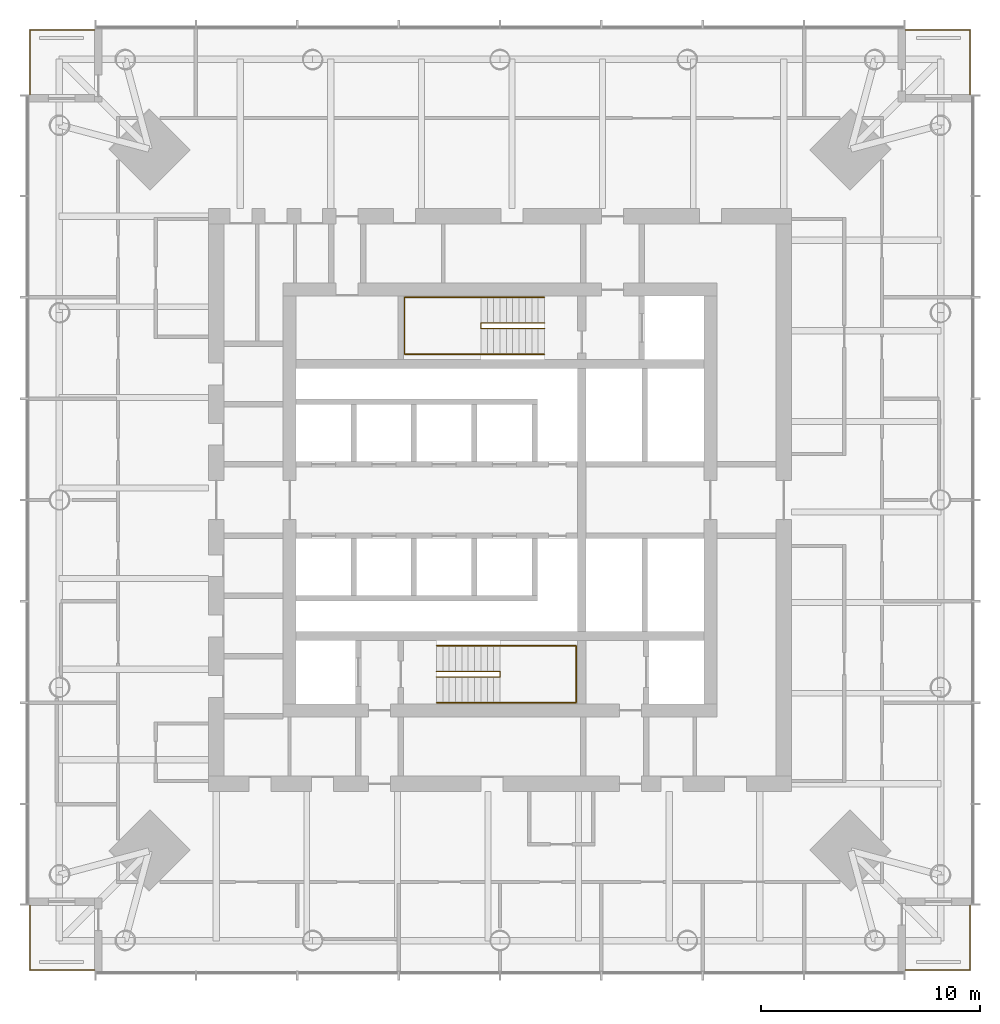
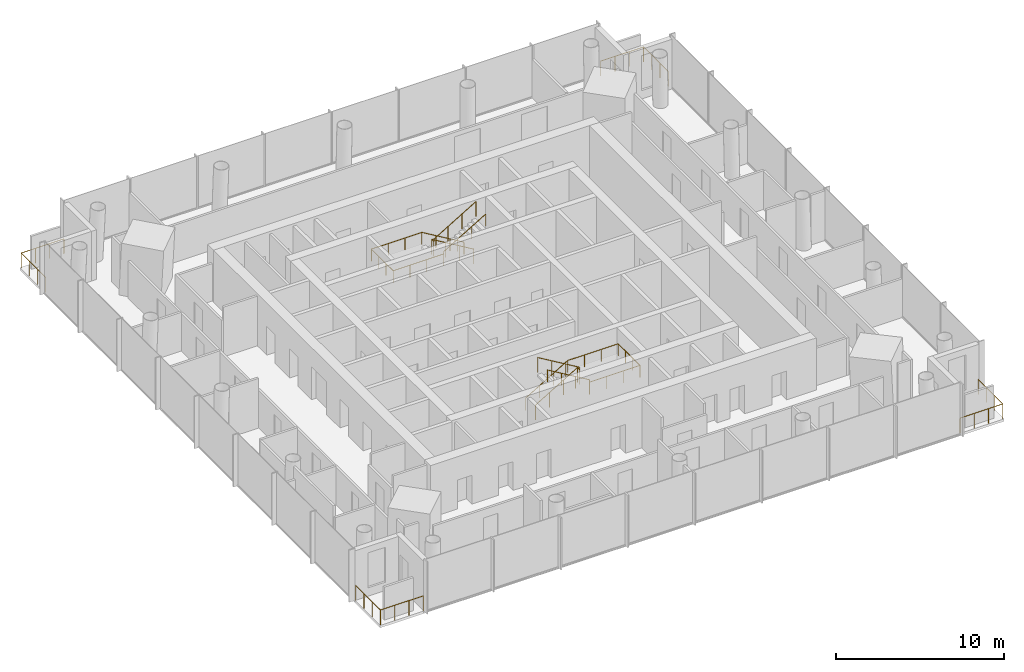
# One storey, part 9 of 9: 8 railings.
"""IFC4 building model written with IfcOpenShell, lengths in metres."""

from ifc_helpers import new_model, si_unit, direction, frame, origin, origin_2d, place, context, subcontext, project, spatial, circle, extrude, material, type_object, element, save


model = new_model("IFC4")

# Units and contexts
model_context = context("Model", 3, precision=1e-05, world=origin(), true_north=direction((0.0, 1.0)))
body_context = subcontext(model_context, "Body", "Model", "MODEL_VIEW")
ifc_project = project(units=[si_unit("LENGTHUNIT", "METRE"), si_unit("AREAUNIT", "SQUARE_METRE"), si_unit("VOLUMEUNIT", "CUBIC_METRE"), si_unit("PLANEANGLEUNIT", "RADIAN"), si_unit("MASSUNIT", "GRAM", prefix="KILO")], contexts=[model_context])

# Site, building, storey
site_placement = place(None, origin())
site = spatial("IfcSite", under=ifc_project, at=site_placement, CompositionType="ELEMENT")
building_placement = place(site_placement, origin())
building = spatial("IfcBuilding", under=site, at=building_placement, Name="Ostroluk Exchange", CompositionType="ELEMENT")
storey_placement = place(building_placement, frame((0.0, 0.0, 142.60009765625)))
storey = spatial("IfcBuildingStorey", under=building, at=storey_placement, Name="L36", CompositionType="ELEMENT", Elevation=142.60009765625)

# Railings
ifc_material_1 = material(Name="Stainless steel", Category="steel")
railing_type_1 = type_object("IfcRailingType", Name="Guard 1100 stainless steel", PredefinedType="GUARDRAIL", material=ifc_material_1)
railing_1_placement = place(storey_placement, frame((63.5, 24.550048828125, 0.0)))
element("IfcRailing", 1, at=railing_1_placement, inside=storey, type_object=railing_type_1, Name="Office tower SE balcony guard L36", PredefinedType="GUARDRAIL", context=body_context, shape_type="SweptSolid", body=[
    extrude(circle(Radius=0.02392578125, at=origin_2d()), frame((0.0, 0.0, 1.076171875), z_axis=(1.0, 0.0, 0.0), x_axis=(0.0, 1.0, 0.0)), (0.0, 0.0, 1.0), 2.949951171875),
    extrude(circle(Radius=0.02392578125, at=origin_2d()), frame((2.949951171875, 0.0, 1.076171875), z_axis=(0.0, 1.0, 0.0), x_axis=(-1.0, 0.0, 0.0)), (0.0, 0.0, 1.0), 2.949951171875),
    extrude(circle(Radius=0.02099609375, at=origin_2d()), origin(), (0.0, 0.0, 1.0), 1.052001953125),
    extrude(circle(Radius=0.02099609375, at=origin_2d()), frame((0.9833984375, 0.0, 0.0)), (0.0, 0.0, 1.0), 1.052001953125),
    extrude(circle(Radius=0.02099609375, at=origin_2d()), frame((1.966552734375, 0.0, 0.0)), (0.0, 0.0, 1.0), 1.052001953125),
    extrude(circle(Radius=0.02099609375, at=origin_2d()), frame((2.949951171875, 0.0, 0.0)), (0.0, 0.0, 1.0), 1.052001953125),
    extrude(circle(Radius=0.02099609375, at=origin_2d()), frame((2.949951171875, 0.9833984375, 0.0)), (0.0, 0.0, 1.0), 1.052001953125),
    extrude(circle(Radius=0.02099609375, at=origin_2d()), frame((2.949951171875, 1.966552734375, 0.0)), (0.0, 0.0, 1.0), 1.052001953125),
    extrude(circle(Radius=0.02099609375, at=origin_2d()), frame((2.949951171875, 2.949951171875, 0.0)), (0.0, 0.0, 1.0), 1.052001953125),
])
railing_2_placement = place(storey_placement, frame((63.5, 67.449951171875, 0.0)))
element("IfcRailing", 2, at=railing_2_placement, inside=storey, type_object=railing_type_1, Name="Office tower NE balcony guard L36", PredefinedType="GUARDRAIL", context=body_context, shape_type="SweptSolid", body=[
    extrude(circle(Radius=0.02392578125, at=origin_2d()), frame((0.0, 0.0, 1.076171875), z_axis=(1.0, 0.0, 0.0), x_axis=(0.0, 1.0, 0.0)), (0.0, 0.0, 1.0), 2.949951171875),
    extrude(circle(Radius=0.02392578125, at=origin_2d()), frame((2.949951171875, 0.0, 1.076171875), z_axis=(0.0, -1.0, 0.0), x_axis=(1.0, 0.0, 0.0)), (0.0, 0.0, 1.0), 2.949951171875),
    extrude(circle(Radius=0.02099609375, at=origin_2d()), origin(), (0.0, 0.0, 1.0), 1.052001953125),
    extrude(circle(Radius=0.02099609375, at=origin_2d()), frame((0.9833984375, 0.0, 0.0)), (0.0, 0.0, 1.0), 1.052001953125),
    extrude(circle(Radius=0.02099609375, at=origin_2d()), frame((1.966552734375, 0.0, 0.0)), (0.0, 0.0, 1.0), 1.052001953125),
    extrude(circle(Radius=0.02099609375, at=origin_2d()), frame((2.949951171875, 0.0, 0.0)), (0.0, 0.0, 1.0), 1.052001953125),
    extrude(circle(Radius=0.02099609375, at=origin_2d()), frame((2.949951171875, -0.9833984375, 0.0)), (0.0, 0.0, 1.0), 1.052001953125),
    extrude(circle(Radius=0.02099609375, at=origin_2d()), frame((2.949951171875, -1.966552734375, 0.0)), (0.0, 0.0, 1.0), 1.052001953125),
    extrude(circle(Radius=0.02099609375, at=origin_2d()), frame((2.949951171875, -2.949951171875, 0.0)), (0.0, 0.0, 1.0), 1.052001953125),
])
railing_3_placement = place(storey_placement, frame((26.5, 67.449951171875, 0.0)))
element("IfcRailing", 3, at=railing_3_placement, inside=storey, type_object=railing_type_1, Name="Office tower NW balcony guard L36", PredefinedType="GUARDRAIL", context=body_context, shape_type="SweptSolid", body=[
    extrude(circle(Radius=0.02392578125, at=origin_2d()), frame((0.0, 0.0, 1.076171875), z_axis=(-1.0, 0.0, 0.0), x_axis=(0.0, -1.0, 0.0)), (0.0, 0.0, 1.0), 2.949951171875),
    extrude(circle(Radius=0.02392578125, at=origin_2d()), frame((-2.949951171875, 0.0, 1.076171875), z_axis=(0.0, -1.0, 0.0), x_axis=(1.0, 0.0, 0.0)), (0.0, 0.0, 1.0), 2.949951171875),
    extrude(circle(Radius=0.02099609375, at=origin_2d()), origin(), (0.0, 0.0, 1.0), 1.052001953125),
    extrude(circle(Radius=0.02099609375, at=origin_2d()), frame((-0.9833984375, 0.0, 0.0)), (0.0, 0.0, 1.0), 1.052001953125),
    extrude(circle(Radius=0.02099609375, at=origin_2d()), frame((-1.966552734375, 0.0, 0.0)), (0.0, 0.0, 1.0), 1.052001953125),
    extrude(circle(Radius=0.02099609375, at=origin_2d()), frame((-2.949951171875, 0.0, 0.0)), (0.0, 0.0, 1.0), 1.052001953125),
    extrude(circle(Radius=0.02099609375, at=origin_2d()), frame((-2.949951171875, -0.9833984375, 0.0)), (0.0, 0.0, 1.0), 1.052001953125),
    extrude(circle(Radius=0.02099609375, at=origin_2d()), frame((-2.949951171875, -1.966552734375, 0.0)), (0.0, 0.0, 1.0), 1.052001953125),
    extrude(circle(Radius=0.02099609375, at=origin_2d()), frame((-2.949951171875, -2.949951171875, 0.0)), (0.0, 0.0, 1.0), 1.052001953125),
])
railing_4_placement = place(storey_placement, frame((26.5, 24.550048828125, 0.0)))
element("IfcRailing", 4, at=railing_4_placement, inside=storey, type_object=railing_type_1, Name="Office tower SW balcony guard L36", PredefinedType="GUARDRAIL", context=body_context, shape_type="SweptSolid", body=[
    extrude(circle(Radius=0.02392578125, at=origin_2d()), frame((0.0, 0.0, 1.076171875), z_axis=(-1.0, 0.0, 0.0), x_axis=(0.0, -1.0, 0.0)), (0.0, 0.0, 1.0), 2.949951171875),
    extrude(circle(Radius=0.02392578125, at=origin_2d()), frame((-2.949951171875, 0.0, 1.076171875), z_axis=(0.0, 1.0, 0.0), x_axis=(-1.0, 0.0, 0.0)), (0.0, 0.0, 1.0), 2.949951171875),
    extrude(circle(Radius=0.02099609375, at=origin_2d()), origin(), (0.0, 0.0, 1.0), 1.052001953125),
    extrude(circle(Radius=0.02099609375, at=origin_2d()), frame((-0.9833984375, 0.0, 0.0)), (0.0, 0.0, 1.0), 1.052001953125),
    extrude(circle(Radius=0.02099609375, at=origin_2d()), frame((-1.966552734375, 0.0, 0.0)), (0.0, 0.0, 1.0), 1.052001953125),
    extrude(circle(Radius=0.02099609375, at=origin_2d()), frame((-2.949951171875, 0.0, 0.0)), (0.0, 0.0, 1.0), 1.052001953125),
    extrude(circle(Radius=0.02099609375, at=origin_2d()), frame((-2.949951171875, 0.9833984375, 0.0)), (0.0, 0.0, 1.0), 1.052001953125),
    extrude(circle(Radius=0.02099609375, at=origin_2d()), frame((-2.949951171875, 1.966552734375, 0.0)), (0.0, 0.0, 1.0), 1.052001953125),
    extrude(circle(Radius=0.02099609375, at=origin_2d()), frame((-2.949951171875, 2.949951171875, 0.0)), (0.0, 0.0, 1.0), 1.052001953125),
])
ifc_material_2 = material(Name="Steel S355", Category="steel")
railing_type_2 = type_object("IfcRailingType", Name="Stair guard 1100", PredefinedType="GUARDRAIL", material=ifc_material_2)
railing_5_placement = place(storey_placement, frame((42.10009765625, 38.179931640625, 0.172607421875)))
element("IfcRailing", 5, at=railing_5_placement, inside=storey, type_object=railing_type_2, Name="Stair T1-S1 guard L36", PredefinedType="GUARDRAIL", context=body_context, shape_type="SweptSolid", body=[
    extrude(circle(Radius=0.02392578125, at=origin_2d()), frame((0.0, 0.0, 1.076171875), z_axis=(0.859141464434, 0.0, 0.511738159696), x_axis=(0.0, 1.0, 0.0)), (0.0, 0.0, 1.0), 3.375244140625),
    extrude(circle(Radius=0.02392578125, at=origin_2d()), frame((2.89990234375, 0.0, 2.80322265625), z_axis=(0.0, -1.0, 0.0), x_axis=(1.0, 0.0, 0.0)), (0.0, 0.0, 1.0), 0.260009765625),
    extrude(circle(Radius=0.02392578125, at=origin_2d()), frame((2.89990234375, -0.260009765625, 2.80322265625), z_axis=(0.0, 0.0, 1.0), x_axis=(1.0, 0.0, 0.0)), (0.0, 0.0, 1.0), 0.172607421875),
    extrude(circle(Radius=0.02392578125, at=origin_2d()), frame((2.89990234375, -0.260009765625, 2.97607421875), z_axis=(-0.859141464434, 0.0, 0.511738159696), x_axis=(0.0, -1.0, 0.0)), (0.0, 0.0, 1.0), 3.375244140625),
    extrude(circle(Radius=0.02099609375, at=origin_2d()), origin(), (0.0, 0.0, 1.0), 1.052001953125),
    extrude(circle(Radius=0.02099609375, at=origin_2d()), frame((0.966552734375, 0.0, 0.57568359375)), (0.0, 0.0, 1.0), 1.052001953125),
    extrude(circle(Radius=0.02099609375, at=origin_2d()), frame((1.933349609375, 0.0, 1.151611328125)), (0.0, 0.0, 1.0), 1.052001953125),
    extrude(circle(Radius=0.02099609375, at=origin_2d()), frame((2.89990234375, 0.0, 1.727294921875)), (0.0, 0.0, 1.0), 1.052001953125),
    extrude(circle(Radius=0.02099609375, at=origin_2d()), frame((2.89990234375, -0.260009765625, 1.727294921875)), (0.0, 0.0, 1.0), 1.052001953125),
    extrude(circle(Radius=0.02099609375, at=origin_2d()), frame((2.89990234375, -0.260009765625, 1.89990234375)), (0.0, 0.0, 1.0), 1.052001953125),
    extrude(circle(Radius=0.02099609375, at=origin_2d()), frame((1.933349609375, -0.260009765625, 2.4755859375)), (0.0, 0.0, 1.0), 1.052001953125),
    extrude(circle(Radius=0.02099609375, at=origin_2d()), frame((0.966552734375, -0.260009765625, 3.051513671875)), (0.0, 0.0, 1.0), 1.052001953125),
    extrude(circle(Radius=0.02099609375, at=origin_2d()), frame((0.0, -0.260009765625, 3.627197265625)), (0.0, 0.0, 1.0), 1.052001953125),
])
railing_6_placement = place(storey_placement, frame((47.030029296875, 54.080078125, 0.172607421875)))
element("IfcRailing", 6, at=railing_6_placement, inside=storey, type_object=railing_type_2, Name="Stair T1-S2 guard L36", PredefinedType="GUARDRAIL", context=body_context, shape_type="SweptSolid", body=[
    extrude(circle(Radius=0.02392578125, at=origin_2d()), frame((0.0, 0.0, 1.076171875), z_axis=(-0.859160404282, 0.0, 0.51170636083), x_axis=(0.0, -1.0, 0.0)), (0.0, 0.0, 1.0), 3.37548828125),
    extrude(circle(Radius=0.02392578125, at=origin_2d()), frame((-2.900146484375, 0.0, 2.80322265625), z_axis=(0.0, -1.0, 0.0), x_axis=(1.0, 0.0, 0.0)), (0.0, 0.0, 1.0), 0.260009765625),
    extrude(circle(Radius=0.02392578125, at=origin_2d()), frame((-2.900146484375, -0.260009765625, 2.80322265625), z_axis=(0.0, 0.0, 1.0), x_axis=(1.0, 0.0, 0.0)), (0.0, 0.0, 1.0), 0.172607421875),
    extrude(circle(Radius=0.02392578125, at=origin_2d()), frame((-2.900146484375, -0.260009765625, 2.97607421875), z_axis=(0.859160404282, 0.0, 0.51170636083), x_axis=(0.0, 1.0, 0.0)), (0.0, 0.0, 1.0), 3.37548828125),
    extrude(circle(Radius=0.02099609375, at=origin_2d()), origin(), (0.0, 0.0, 1.0), 1.052001953125),
    extrude(circle(Radius=0.02099609375, at=origin_2d()), frame((-0.966796875, 0.0, 0.57568359375)), (0.0, 0.0, 1.0), 1.052001953125),
    extrude(circle(Radius=0.02099609375, at=origin_2d()), frame((-1.933349609375, 0.0, 1.151611328125)), (0.0, 0.0, 1.0), 1.052001953125),
    extrude(circle(Radius=0.02099609375, at=origin_2d()), frame((-2.900146484375, 0.0, 1.727294921875)), (0.0, 0.0, 1.0), 1.052001953125),
    extrude(circle(Radius=0.02099609375, at=origin_2d()), frame((-2.900146484375, -0.260009765625, 1.727294921875)), (0.0, 0.0, 1.0), 1.052001953125),
    extrude(circle(Radius=0.02099609375, at=origin_2d()), frame((-2.900146484375, -0.260009765625, 1.89990234375)), (0.0, 0.0, 1.0), 1.052001953125),
    extrude(circle(Radius=0.02099609375, at=origin_2d()), frame((-1.933349609375, -0.260009765625, 2.4755859375)), (0.0, 0.0, 1.0), 1.052001953125),
    extrude(circle(Radius=0.02099609375, at=origin_2d()), frame((-0.966796875, -0.260009765625, 3.051513671875)), (0.0, 0.0, 1.0), 1.052001953125),
    extrude(circle(Radius=0.02099609375, at=origin_2d()), frame((0.0, -0.260009765625, 3.627197265625)), (0.0, 0.0, 1.0), 1.052001953125),
])
ifc_material_3 = material(Name="Stainless steel", Category="steel")
railing_type_3 = type_object("IfcRailingType", Name="Stair handrail 900", PredefinedType="HANDRAIL", material=ifc_material_3)
railing_7_placement = place(storey_placement, frame((42.10009765625, 39.35009765625, 0.172607421875)))
element("IfcRailing", 7, at=railing_7_placement, inside=storey, type_object=railing_type_3, Name="Stair T1-S1 handrail L36", PredefinedType="HANDRAIL", context=body_context, shape_type="SweptSolid", body=[
    extrude(circle(Radius=0.02392578125, at=origin_2d()), frame((0.0, 0.0, 0.8759765625), z_axis=(0.859141464434, 0.0, 0.511738159696), x_axis=(0.0, 1.0, 0.0)), (0.0, 0.0, 1.0), 3.375244140625),
    extrude(circle(Radius=0.02392578125, at=origin_2d()), frame((2.89990234375, 0.0, 2.60302734375), z_axis=(1.0, 0.0, 0.0), x_axis=(0.0, 1.0, 0.0)), (0.0, 0.0, 1.0), 3.47998046875),
    extrude(circle(Radius=0.02392578125, at=origin_2d()), frame((6.3798828125, 0.0, 2.60302734375), z_axis=(0.0, -1.0, 0.0), x_axis=(1.0, 0.0, 0.0)), (0.0, 0.0, 1.0), 2.60009765625),
    extrude(circle(Radius=0.02392578125, at=origin_2d()), frame((6.3798828125, -2.60009765625, 2.60302734375), z_axis=(-1.0, 0.0, 0.0), x_axis=(0.0, -1.0, 0.0)), (0.0, 0.0, 1.0), 3.47998046875),
    extrude(circle(Radius=0.02392578125, at=origin_2d()), frame((2.89990234375, -2.60009765625, 2.60302734375), z_axis=(0.0, 0.0, 1.0), x_axis=(1.0, 0.0, 0.0)), (0.0, 0.0, 1.0), 0.172607421875),
    extrude(circle(Radius=0.02392578125, at=origin_2d()), frame((2.89990234375, -2.60009765625, 2.77587890625), z_axis=(-0.859141464434, 0.0, 0.511738159696), x_axis=(0.0, -1.0, 0.0)), (0.0, 0.0, 1.0), 3.375244140625),
    extrude(circle(Radius=0.02099609375, at=origin_2d()), origin(), (0.0, 0.0, 1.0), 0.851806640625),
    extrude(circle(Radius=0.02099609375, at=origin_2d()), frame((0.966552734375, 0.0, 0.57568359375)), (0.0, 0.0, 1.0), 0.851806640625),
    extrude(circle(Radius=0.02099609375, at=origin_2d()), frame((1.933349609375, 0.0, 1.151611328125)), (0.0, 0.0, 1.0), 0.851806640625),
    extrude(circle(Radius=0.02099609375, at=origin_2d()), frame((2.89990234375, 0.0, 1.727294921875)), (0.0, 0.0, 1.0), 0.851806640625),
    extrude(circle(Radius=0.02099609375, at=origin_2d()), frame((4.059814453125, 0.0, 1.727294921875)), (0.0, 0.0, 1.0), 0.851806640625),
    extrude(circle(Radius=0.02099609375, at=origin_2d()), frame((5.219970703125, 0.0, 1.727294921875)), (0.0, 0.0, 1.0), 0.851806640625),
    extrude(circle(Radius=0.02099609375, at=origin_2d()), frame((6.3798828125, 0.0, 1.727294921875)), (0.0, 0.0, 1.0), 0.851806640625),
    extrude(circle(Radius=0.02099609375, at=origin_2d()), frame((6.3798828125, -0.86669921875, 1.727294921875)), (0.0, 0.0, 1.0), 0.851806640625),
    extrude(circle(Radius=0.02099609375, at=origin_2d()), frame((6.3798828125, -1.7333984375, 1.727294921875)), (0.0, 0.0, 1.0), 0.851806640625),
    extrude(circle(Radius=0.02099609375, at=origin_2d()), frame((6.3798828125, -2.60009765625, 1.727294921875)), (0.0, 0.0, 1.0), 0.851806640625),
    extrude(circle(Radius=0.02099609375, at=origin_2d()), frame((5.219970703125, -2.60009765625, 1.727294921875)), (0.0, 0.0, 1.0), 0.851806640625),
    extrude(circle(Radius=0.02099609375, at=origin_2d()), frame((4.059814453125, -2.60009765625, 1.727294921875)), (0.0, 0.0, 1.0), 0.851806640625),
    extrude(circle(Radius=0.02099609375, at=origin_2d()), frame((2.89990234375, -2.60009765625, 1.727294921875)), (0.0, 0.0, 1.0), 0.851806640625),
    extrude(circle(Radius=0.02099609375, at=origin_2d()), frame((2.89990234375, -2.60009765625, 1.89990234375)), (0.0, 0.0, 1.0), 0.851806640625),
    extrude(circle(Radius=0.02099609375, at=origin_2d()), frame((1.933349609375, -2.60009765625, 2.4755859375)), (0.0, 0.0, 1.0), 0.851806640625),
    extrude(circle(Radius=0.02099609375, at=origin_2d()), frame((0.966552734375, -2.60009765625, 3.051513671875)), (0.0, 0.0, 1.0), 0.851806640625),
    extrude(circle(Radius=0.02099609375, at=origin_2d()), frame((0.0, -2.60009765625, 3.627197265625)), (0.0, 0.0, 1.0), 0.851806640625),
])
railing_8_placement = place(storey_placement, frame((47.030029296875, 55.25, 0.172607421875)))
element("IfcRailing", 8, at=railing_8_placement, inside=storey, type_object=railing_type_3, Name="Stair T1-S2 handrail L36", PredefinedType="HANDRAIL", context=body_context, shape_type="SweptSolid", body=[
    extrude(circle(Radius=0.02392578125, at=origin_2d()), frame((0.0, 0.0, 0.8759765625), z_axis=(-0.859160404282, 0.0, 0.51170636083), x_axis=(0.0, -1.0, 0.0)), (0.0, 0.0, 1.0), 3.37548828125),
    extrude(circle(Radius=0.02392578125, at=origin_2d()), frame((-2.900146484375, 0.0, 2.60302734375), z_axis=(-1.0, 0.0, 0.0), x_axis=(0.0, -1.0, 0.0)), (0.0, 0.0, 1.0), 3.47998046875),
    extrude(circle(Radius=0.02392578125, at=origin_2d()), frame((-6.380126953125, 0.0, 2.60302734375), z_axis=(0.0, -1.0, 0.0), x_axis=(1.0, 0.0, 0.0)), (0.0, 0.0, 1.0), 2.60009765625),
    extrude(circle(Radius=0.02392578125, at=origin_2d()), frame((-6.380126953125, -2.60009765625, 2.60302734375), z_axis=(1.0, 0.0, 0.0), x_axis=(0.0, 1.0, 0.0)), (0.0, 0.0, 1.0), 3.47998046875),
    extrude(circle(Radius=0.02392578125, at=origin_2d()), frame((-2.900146484375, -2.60009765625, 2.60302734375), z_axis=(0.0, 0.0, 1.0), x_axis=(1.0, 0.0, 0.0)), (0.0, 0.0, 1.0), 0.172607421875),
    extrude(circle(Radius=0.02392578125, at=origin_2d()), frame((-2.900146484375, -2.60009765625, 2.77587890625), z_axis=(0.859160404282, 0.0, 0.51170636083), x_axis=(0.0, 1.0, 0.0)), (0.0, 0.0, 1.0), 3.37548828125),
    extrude(circle(Radius=0.02099609375, at=origin_2d()), origin(), (0.0, 0.0, 1.0), 0.851806640625),
    extrude(circle(Radius=0.02099609375, at=origin_2d()), frame((-0.966796875, 0.0, 0.57568359375)), (0.0, 0.0, 1.0), 0.851806640625),
    extrude(circle(Radius=0.02099609375, at=origin_2d()), frame((-1.933349609375, 0.0, 1.151611328125)), (0.0, 0.0, 1.0), 0.851806640625),
    extrude(circle(Radius=0.02099609375, at=origin_2d()), frame((-2.900146484375, 0.0, 1.727294921875)), (0.0, 0.0, 1.0), 0.851806640625),
    extrude(circle(Radius=0.02099609375, at=origin_2d()), frame((-4.06005859375, 0.0, 1.727294921875)), (0.0, 0.0, 1.0), 0.851806640625),
    extrude(circle(Radius=0.02099609375, at=origin_2d()), frame((-5.22021484375, 0.0, 1.727294921875)), (0.0, 0.0, 1.0), 0.851806640625),
    extrude(circle(Radius=0.02099609375, at=origin_2d()), frame((-6.380126953125, 0.0, 1.727294921875)), (0.0, 0.0, 1.0), 0.851806640625),
    extrude(circle(Radius=0.02099609375, at=origin_2d()), frame((-6.380126953125, -0.86669921875, 1.727294921875)), (0.0, 0.0, 1.0), 0.851806640625),
    extrude(circle(Radius=0.02099609375, at=origin_2d()), frame((-6.380126953125, -1.7333984375, 1.727294921875)), (0.0, 0.0, 1.0), 0.851806640625),
    extrude(circle(Radius=0.02099609375, at=origin_2d()), frame((-6.380126953125, -2.60009765625, 1.727294921875)), (0.0, 0.0, 1.0), 0.851806640625),
    extrude(circle(Radius=0.02099609375, at=origin_2d()), frame((-5.22021484375, -2.60009765625, 1.727294921875)), (0.0, 0.0, 1.0), 0.851806640625),
    extrude(circle(Radius=0.02099609375, at=origin_2d()), frame((-4.06005859375, -2.60009765625, 1.727294921875)), (0.0, 0.0, 1.0), 0.851806640625),
    extrude(circle(Radius=0.02099609375, at=origin_2d()), frame((-2.900146484375, -2.60009765625, 1.727294921875)), (0.0, 0.0, 1.0), 0.851806640625),
    extrude(circle(Radius=0.02099609375, at=origin_2d()), frame((-2.900146484375, -2.60009765625, 1.89990234375)), (0.0, 0.0, 1.0), 0.851806640625),
    extrude(circle(Radius=0.02099609375, at=origin_2d()), frame((-1.933349609375, -2.60009765625, 2.4755859375)), (0.0, 0.0, 1.0), 0.851806640625),
    extrude(circle(Radius=0.02099609375, at=origin_2d()), frame((-0.966796875, -2.60009765625, 3.051513671875)), (0.0, 0.0, 1.0), 0.851806640625),
    extrude(circle(Radius=0.02099609375, at=origin_2d()), frame((0.0, -2.60009765625, 3.627197265625)), (0.0, 0.0, 1.0), 0.851806640625),
])

save(model, "model.ifc")
